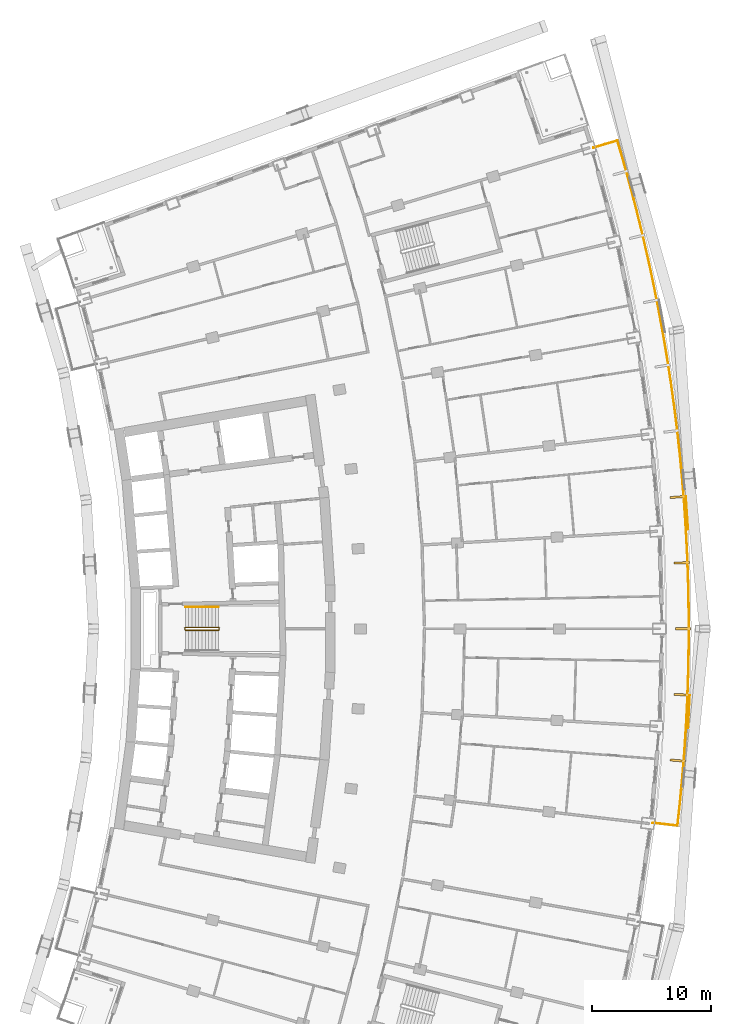
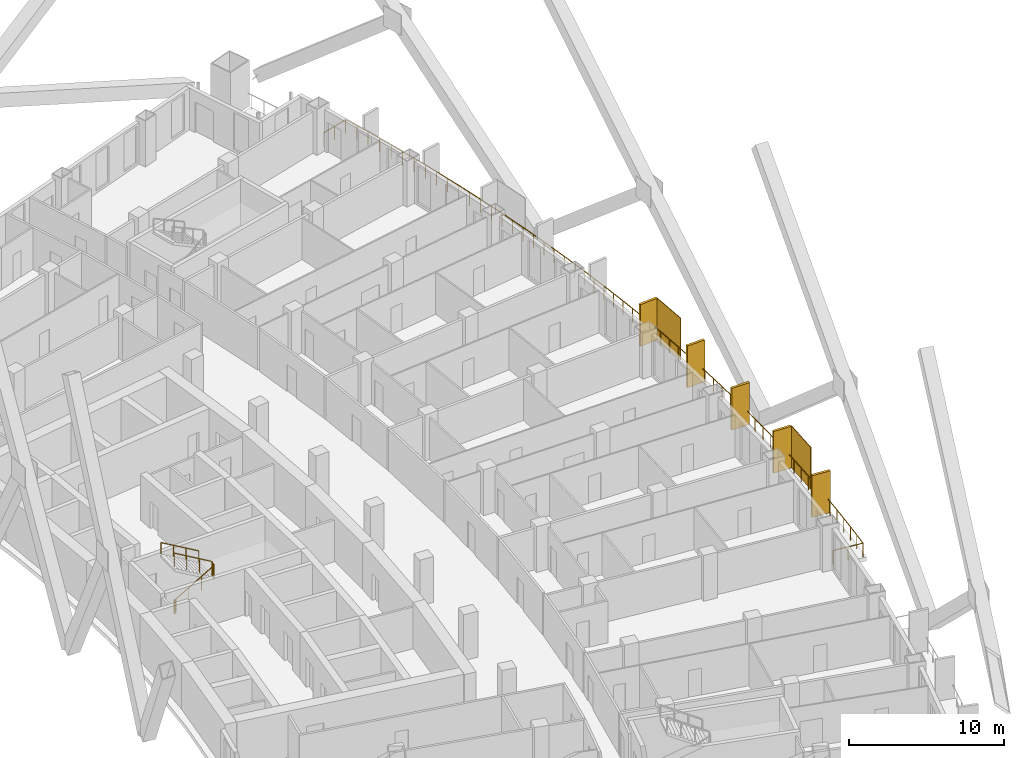
# One storey, part 23 of 24: 7 shading devices, 3 railings.
"""IFC4 building model written with IfcOpenShell, lengths in metres."""

from ifc_helpers import new_model, si_unit, direction, frame, origin, origin_2d, place, context, subcontext, project, spatial, rectangle, extrude, material, layer, layer_set, type_object, element, save


model = new_model("IFC4")

# Units and contexts
model_context = context("Model", 3, precision=1e-05, world=origin(), true_north=direction((0.0, 1.0)))
body_context = subcontext(model_context, "Body", "Model", "MODEL_VIEW")
ifc_project = project(units=[si_unit("LENGTHUNIT", "METRE"), si_unit("AREAUNIT", "SQUARE_METRE"), si_unit("VOLUMEUNIT", "CUBIC_METRE"), si_unit("PLANEANGLEUNIT", "RADIAN"), si_unit("MASSUNIT", "GRAM", prefix="KILO")], contexts=[model_context])

# Site, building, storey
site_placement = place(None, origin())
site = spatial("IfcSite", under=ifc_project, at=site_placement, CompositionType="ELEMENT")
building_placement = place(site_placement, origin())
building = spatial("IfcBuilding", under=site, at=building_placement, Name="Alderwake Tower", CompositionType="ELEMENT")
storey_placement = place(building_placement, frame((0.0, 0.0, 104.0)))
storey = spatial("IfcBuildingStorey", under=building, at=storey_placement, Name="L25", CompositionType="ELEMENT", Elevation=104.0)

# Railing
ifc_material_1 = material(Name="Stainless steel 316 rail and posts", Category="steel")
railing_type_1 = type_object("IfcRailingType", Name="Balcony guard 1100", PredefinedType="GUARDRAIL", material=ifc_material_1)
railing_1_placement = place(storey_placement, frame((60.4501953125, 44.638671875, 0.0)))
element("IfcRailing", 1, at=railing_1_placement, inside=storey, type_object=railing_type_1, Name="Guard BF05", PredefinedType="GUARDRAIL", context=body_context, shape_type="SweptSolid", body=[
    extrude(rectangle(XDim=0.048095703125, YDim=0.048095703125, at=origin_2d()), frame((0.0, 0.0, 1.076171875), z_axis=(0.993273839517, -0.115788944775, 0.0), x_axis=(0.115788944775, 0.993273839517, 0.0)), (0.0, 0.0, 1.0), 2.10009765625),
    extrude(rectangle(XDim=0.048095703125, YDim=0.048095703125, at=origin_2d()), frame((2.0859375, -0.2431640625, 1.076171875), z_axis=(0.108790906311, 0.994064655193, 0.0), x_axis=(-0.994064655193, 0.108790906311, 0.0)), (0.0, 0.0, 1.0), 1.99267578125),
    extrude(rectangle(XDim=0.048095703125, YDim=0.048095703125, at=origin_2d()), frame((2.302734375, 1.73779296875, 1.076171875), z_axis=(0.094616394776, 0.995513805951, 0.0), x_axis=(-0.995513805951, 0.094616394776, 0.0)), (0.0, 0.0, 1.0), 2.092529296875),
    extrude(rectangle(XDim=0.048095703125, YDim=0.048095703125, at=origin_2d()), frame((2.500732421875, 3.821044921875, 1.076171875), z_axis=(0.080148626966, 0.996782924009, 0.0), x_axis=(-0.996782924009, 0.080148626966, 0.0)), (0.0, 0.0, 1.0), 2.0927734375),
    extrude(rectangle(XDim=0.048095703125, YDim=0.048095703125, at=origin_2d()), frame((2.66845703125, 5.906982421875, 1.076171875), z_axis=(0.06556654831, 0.997848198747, 0.0), x_axis=(-0.997848198747, 0.06556654831, 0.0)), (0.0, 0.0, 1.0), 2.092529296875),
    extrude(rectangle(XDim=0.048095703125, YDim=0.048095703125, at=origin_2d()), frame((2.8056640625, 7.9951171875, 1.076171875), z_axis=(0.051095418046, 0.998693776017, 0.0), x_axis=(-0.998693776017, 0.051095418046, 0.0)), (0.0, 0.0, 1.0), 2.0927734375),
    extrude(rectangle(XDim=0.048095703125, YDim=0.048095703125, at=origin_2d()), frame((2.91259765625, 10.085205078125, 1.076171875), z_axis=(0.036398931808, 0.999337339322, 0.0), x_axis=(-0.999337339322, 0.036398931808, 0.0)), (0.0, 0.0, 1.0), 2.0927734375),
    extrude(rectangle(XDim=0.048095703125, YDim=0.048095703125, at=origin_2d()), frame((2.98876953125, 12.176513671875, 1.076171875), z_axis=(0.021815110635, 0.999762022157, 0.0), x_axis=(-0.999762022157, 0.021815110635, 0.0)), (0.0, 0.0, 1.0), 2.0927734375),
    extrude(rectangle(XDim=0.048095703125, YDim=0.048095703125, at=origin_2d()), frame((3.034423828125, 14.268798828125, 1.076171875), z_axis=(0.007350168964, 0.999972987143, 0.0), x_axis=(-0.999972987143, 0.007350168964, 0.0)), (0.0, 0.0, 1.0), 2.092529296875),
    extrude(rectangle(XDim=0.048095703125, YDim=0.048095703125, at=origin_2d()), frame((3.0498046875, 16.361328125, 1.076171875), z_axis=(-0.007350168964, 0.999972987143, 0.0), x_axis=(-0.999972987143, -0.007350168964, 0.0)), (0.0, 0.0, 1.0), 2.092529296875),
    extrude(rectangle(XDim=0.048095703125, YDim=0.048095703125, at=origin_2d()), frame((3.034423828125, 18.453857421875, 1.076171875), z_axis=(-0.021815110635, 0.999762022157, 0.0), x_axis=(-0.999762022157, -0.021815110635, 0.0)), (0.0, 0.0, 1.0), 2.0927734375),
    extrude(rectangle(XDim=0.048095703125, YDim=0.048095703125, at=origin_2d()), frame((2.98876953125, 20.546142578125, 1.076171875), z_axis=(-0.036398931808, 0.999337339322, 0.0), x_axis=(-0.999337339322, -0.036398931808, 0.0)), (0.0, 0.0, 1.0), 2.0927734375),
    extrude(rectangle(XDim=0.048095703125, YDim=0.048095703125, at=origin_2d()), frame((2.91259765625, 22.637451171875, 1.076171875), z_axis=(-0.051095418046, 0.998693776017, 0.0), x_axis=(-0.998693776017, -0.051095418046, 0.0)), (0.0, 0.0, 1.0), 2.0927734375),
    extrude(rectangle(XDim=0.048095703125, YDim=0.048095703125, at=origin_2d()), frame((2.8056640625, 24.7275390625, 1.076171875), z_axis=(-0.06556654831, 0.997848198747, 0.0), x_axis=(-0.997848198747, -0.06556654831, 0.0)), (0.0, 0.0, 1.0), 2.092529296875),
    extrude(rectangle(XDim=0.048095703125, YDim=0.048095703125, at=origin_2d()), frame((2.66845703125, 26.815673828125, 1.076171875), z_axis=(-0.080148626966, 0.996782924009, 0.0), x_axis=(-0.996782924009, -0.080148626966, 0.0)), (0.0, 0.0, 1.0), 2.0927734375),
    extrude(rectangle(XDim=0.048095703125, YDim=0.048095703125, at=origin_2d()), frame((2.500732421875, 28.901611328125, 1.076171875), z_axis=(-0.094616394776, 0.995513805951, 0.0), x_axis=(-0.995513805951, -0.094616394776, 0.0)), (0.0, 0.0, 1.0), 2.092529296875),
    extrude(rectangle(XDim=0.048095703125, YDim=0.048095703125, at=origin_2d()), frame((2.302734375, 30.98486328125, 1.076171875), z_axis=(-0.109202149119, 0.994019562497, 0.0), x_axis=(-0.994019562497, -0.109202149119, 0.0)), (0.0, 0.0, 1.0), 2.092529296875),
    extrude(rectangle(XDim=0.048095703125, YDim=0.048095703125, at=origin_2d()), frame((2.07421875, 33.06494140625, 1.076171875), z_axis=(-0.123546528168, 0.992338780547, 0.0), x_axis=(-0.992338780547, -0.123546528168, 0.0)), (0.0, 0.0, 1.0), 2.0927734375),
    extrude(rectangle(XDim=0.048095703125, YDim=0.048095703125, at=origin_2d()), frame((1.815673828125, 35.1416015625, 1.076171875), z_axis=(-0.138121519768, 0.990415289551, 0.0), x_axis=(-0.990415289551, -0.138121519768, 0.0)), (0.0, 0.0, 1.0), 2.0927734375),
    extrude(rectangle(XDim=0.048095703125, YDim=0.048095703125, at=origin_2d()), frame((1.526611328125, 37.21435546875, 1.076171875), z_axis=(-0.15248675564, 0.988305514178, 0.0), x_axis=(-0.988305514178, -0.15248675564, 0.0)), (0.0, 0.0, 1.0), 2.092529296875),
    extrude(rectangle(XDim=0.048095703125, YDim=0.048095703125, at=origin_2d()), frame((1.20751953125, 39.282470703125, 1.076171875), z_axis=(-0.166933326396, 0.985968186372, 0.0), x_axis=(-0.985968186372, -0.166933326396, 0.0)), (0.0, 0.0, 1.0), 2.0927734375),
    extrude(rectangle(XDim=0.048095703125, YDim=0.048095703125, at=origin_2d()), frame((0.858154296875, 41.345947265625, 1.076171875), z_axis=(-0.18130793509, 0.983426373794, 0.0), x_axis=(-0.983426373794, -0.18130793509, 0.0)), (0.0, 0.0, 1.0), 2.092529296875),
    extrude(rectangle(XDim=0.048095703125, YDim=0.048095703125, at=origin_2d()), frame((0.478759765625, 43.40380859375, 1.076171875), z_axis=(-0.195644970766, 0.980674790853, 0.0), x_axis=(-0.980674790853, -0.195644970766, 0.0)), (0.0, 0.0, 1.0), 2.0927734375),
    extrude(rectangle(XDim=0.048095703125, YDim=0.048095703125, at=origin_2d()), frame((0.0693359375, 45.4560546875, 1.076171875), z_axis=(-0.209871658439, 0.977728943513, 0.0), x_axis=(-0.977728943513, -0.209871658439, 0.0)), (0.0, 0.0, 1.0), 2.0927734375),
    extrude(rectangle(XDim=0.048095703125, YDim=0.048095703125, at=origin_2d()), frame((-0.369873046875, 47.502197265625, 1.076171875), z_axis=(-0.224101157754, 0.974565888534, 0.0), x_axis=(-0.974565888534, -0.224101157754, 0.0)), (0.0, 0.0, 1.0), 2.0927734375),
    extrude(rectangle(XDim=0.048095703125, YDim=0.048095703125, at=origin_2d()), frame((-0.8388671875, 49.541748046875, 1.076171875), z_axis=(-0.238360646186, 0.971176710156, 0.0), x_axis=(-0.971176710156, -0.238360646186, 0.0)), (0.0, 0.0, 1.0), 2.092529296875),
    extrude(rectangle(XDim=0.048095703125, YDim=0.048095703125, at=origin_2d()), frame((-1.337646484375, 51.573974609375, 1.076171875), z_axis=(-0.252459890033, 0.967607360413, 0.0), x_axis=(-0.967607360413, -0.252459890033, 0.0)), (0.0, 0.0, 1.0), 2.0927734375),
    extrude(rectangle(XDim=0.048095703125, YDim=0.048095703125, at=origin_2d()), frame((-1.865966796875, 53.598876953125, 1.076171875), z_axis=(-0.266452319336, 0.963848100854, 0.0), x_axis=(-0.963848100854, -0.266452319336, 0.0)), (0.0, 0.0, 1.0), 2.0927734375),
    extrude(rectangle(XDim=0.048095703125, YDim=0.048095703125, at=origin_2d()), frame((-2.423583984375, 55.615966796875, 1.076171875), z_axis=(-0.28031519248, 0.95990801271, 0.0), x_axis=(-0.95990801271, -0.28031519248, 0.0)), (0.0, 0.0, 1.0), 1.99267578125),
    extrude(rectangle(XDim=0.048095703125, YDim=0.048095703125, at=origin_2d()), frame((-2.982177734375, 57.52880859375, 1.076171875), z_axis=(-0.957954179098, -0.286921227429, 0.0), x_axis=(0.286921227429, -0.957954179098, 0.0)), (0.0, 0.0, 1.0), 2.10009765625),
    extrude(rectangle(XDim=0.0419921875, YDim=0.0419921875, at=origin_2d()), frame((0.0, 0.0, 0.0), z_axis=(0.0, 0.0, 1.0), x_axis=(0.993273839517, -0.115788944775, 0.0)), (0.0, 0.0, 1.0), 1.052001953125),
    extrude(rectangle(XDim=0.0419921875, YDim=0.0419921875, at=origin_2d()), frame((1.04296875, -0.12158203125, 0.0), z_axis=(0.0, 0.0, 1.0), x_axis=(0.993273839517, -0.115788944775, 0.0)), (0.0, 0.0, 1.0), 1.052001953125),
    extrude(rectangle(XDim=0.0419921875, YDim=0.0419921875, at=origin_2d()), frame((2.0859375, -0.2431640625, 0.0), z_axis=(0.0, 0.0, 1.0), x_axis=(0.108790906311, 0.994064655193, 0.0)), (0.0, 0.0, 1.0), 1.052001953125),
    extrude(rectangle(XDim=0.0419921875, YDim=0.0419921875, at=origin_2d()), frame((2.1943359375, 0.747314453125, 0.0), z_axis=(0.0, 0.0, 1.0), x_axis=(0.108790906311, 0.994064655193, 0.0)), (0.0, 0.0, 1.0), 1.052001953125),
    extrude(rectangle(XDim=0.0419921875, YDim=0.0419921875, at=origin_2d()), frame((2.302734375, 1.73779296875, 0.0), z_axis=(0.0, 0.0, 1.0), x_axis=(0.094616394776, 0.995513805951, 0.0)), (0.0, 0.0, 1.0), 1.052001953125),
    extrude(rectangle(XDim=0.0419921875, YDim=0.0419921875, at=origin_2d()), frame((2.40185546875, 2.779296875, 0.0), z_axis=(0.0, 0.0, 1.0), x_axis=(0.094616394776, 0.995513805951, 0.0)), (0.0, 0.0, 1.0), 1.052001953125),
    extrude(rectangle(XDim=0.0419921875, YDim=0.0419921875, at=origin_2d()), frame((2.500732421875, 3.821044921875, 0.0), z_axis=(0.0, 0.0, 1.0), x_axis=(0.080148626966, 0.996782924009, 0.0)), (0.0, 0.0, 1.0), 1.052001953125),
    extrude(rectangle(XDim=0.0419921875, YDim=0.0419921875, at=origin_2d()), frame((2.58447265625, 4.864013671875, 0.0), z_axis=(0.0, 0.0, 1.0), x_axis=(0.080148626966, 0.996782924009, 0.0)), (0.0, 0.0, 1.0), 1.052001953125),
    extrude(rectangle(XDim=0.0419921875, YDim=0.0419921875, at=origin_2d()), frame((2.66845703125, 5.906982421875, 0.0), z_axis=(0.0, 0.0, 1.0), x_axis=(0.06556654831, 0.997848198747, 0.0)), (0.0, 0.0, 1.0), 1.052001953125),
    extrude(rectangle(XDim=0.0419921875, YDim=0.0419921875, at=origin_2d()), frame((2.737060546875, 6.951171875, 0.0), z_axis=(0.0, 0.0, 1.0), x_axis=(0.06556654831, 0.997848198747, 0.0)), (0.0, 0.0, 1.0), 1.052001953125),
    extrude(rectangle(XDim=0.0419921875, YDim=0.0419921875, at=origin_2d()), frame((2.8056640625, 7.9951171875, 0.0), z_axis=(0.0, 0.0, 1.0), x_axis=(0.051095418046, 0.998693776017, 0.0)), (0.0, 0.0, 1.0), 1.052001953125),
    extrude(rectangle(XDim=0.0419921875, YDim=0.0419921875, at=origin_2d()), frame((2.859130859375, 9.0400390625, 0.0), z_axis=(0.0, 0.0, 1.0), x_axis=(0.051095418046, 0.998693776017, 0.0)), (0.0, 0.0, 1.0), 1.052001953125),
    extrude(rectangle(XDim=0.0419921875, YDim=0.0419921875, at=origin_2d()), frame((2.91259765625, 10.085205078125, 0.0), z_axis=(0.0, 0.0, 1.0), x_axis=(0.036398931808, 0.999337339322, 0.0)), (0.0, 0.0, 1.0), 1.052001953125),
    extrude(rectangle(XDim=0.0419921875, YDim=0.0419921875, at=origin_2d()), frame((2.95068359375, 11.130859375, 0.0), z_axis=(0.0, 0.0, 1.0), x_axis=(0.036398931808, 0.999337339322, 0.0)), (0.0, 0.0, 1.0), 1.052001953125),
    extrude(rectangle(XDim=0.0419921875, YDim=0.0419921875, at=origin_2d()), frame((2.98876953125, 12.176513671875, 0.0), z_axis=(0.0, 0.0, 1.0), x_axis=(0.021815110635, 0.999762022157, 0.0)), (0.0, 0.0, 1.0), 1.052001953125),
    extrude(rectangle(XDim=0.0419921875, YDim=0.0419921875, at=origin_2d()), frame((3.01171875, 13.22265625, 0.0), z_axis=(0.0, 0.0, 1.0), x_axis=(0.021815110635, 0.999762022157, 0.0)), (0.0, 0.0, 1.0), 1.052001953125),
    extrude(rectangle(XDim=0.0419921875, YDim=0.0419921875, at=origin_2d()), frame((3.034423828125, 14.268798828125, 0.0), z_axis=(0.0, 0.0, 1.0), x_axis=(0.007350168964, 0.999972987143, 0.0)), (0.0, 0.0, 1.0), 1.052001953125),
    extrude(rectangle(XDim=0.0419921875, YDim=0.0419921875, at=origin_2d()), frame((3.0419921875, 15.31494140625, 0.0), z_axis=(0.0, 0.0, 1.0), x_axis=(0.007350168964, 0.999972987143, 0.0)), (0.0, 0.0, 1.0), 1.052001953125),
    extrude(rectangle(XDim=0.0419921875, YDim=0.0419921875, at=origin_2d()), frame((3.0498046875, 16.361328125, 0.0), z_axis=(0.0, 0.0, 1.0), x_axis=(-0.007350168964, 0.999972987143, 0.0)), (0.0, 0.0, 1.0), 1.052001953125),
    extrude(rectangle(XDim=0.0419921875, YDim=0.0419921875, at=origin_2d()), frame((3.0419921875, 17.40771484375, 0.0), z_axis=(0.0, 0.0, 1.0), x_axis=(-0.007350168964, 0.999972987143, 0.0)), (0.0, 0.0, 1.0), 1.052001953125),
    extrude(rectangle(XDim=0.0419921875, YDim=0.0419921875, at=origin_2d()), frame((3.034423828125, 18.453857421875, 0.0), z_axis=(0.0, 0.0, 1.0), x_axis=(-0.021815110635, 0.999762022157, 0.0)), (0.0, 0.0, 1.0), 1.052001953125),
    extrude(rectangle(XDim=0.0419921875, YDim=0.0419921875, at=origin_2d()), frame((3.01171875, 19.5, 0.0), z_axis=(0.0, 0.0, 1.0), x_axis=(-0.021815110635, 0.999762022157, 0.0)), (0.0, 0.0, 1.0), 1.052001953125),
    extrude(rectangle(XDim=0.0419921875, YDim=0.0419921875, at=origin_2d()), frame((2.98876953125, 20.546142578125, 0.0), z_axis=(0.0, 0.0, 1.0), x_axis=(-0.036398931808, 0.999337339322, 0.0)), (0.0, 0.0, 1.0), 1.052001953125),
    extrude(rectangle(XDim=0.0419921875, YDim=0.0419921875, at=origin_2d()), frame((2.95068359375, 21.591796875, 0.0), z_axis=(0.0, 0.0, 1.0), x_axis=(-0.036398931808, 0.999337339322, 0.0)), (0.0, 0.0, 1.0), 1.052001953125),
    extrude(rectangle(XDim=0.0419921875, YDim=0.0419921875, at=origin_2d()), frame((2.91259765625, 22.637451171875, 0.0), z_axis=(0.0, 0.0, 1.0), x_axis=(-0.051095418046, 0.998693776017, 0.0)), (0.0, 0.0, 1.0), 1.052001953125),
    extrude(rectangle(XDim=0.0419921875, YDim=0.0419921875, at=origin_2d()), frame((2.859130859375, 23.6826171875, 0.0), z_axis=(0.0, 0.0, 1.0), x_axis=(-0.051095418046, 0.998693776017, 0.0)), (0.0, 0.0, 1.0), 1.052001953125),
    extrude(rectangle(XDim=0.0419921875, YDim=0.0419921875, at=origin_2d()), frame((2.8056640625, 24.7275390625, 0.0), z_axis=(0.0, 0.0, 1.0), x_axis=(-0.06556654831, 0.997848198747, 0.0)), (0.0, 0.0, 1.0), 1.052001953125),
    extrude(rectangle(XDim=0.0419921875, YDim=0.0419921875, at=origin_2d()), frame((2.737060546875, 25.771484375, 0.0), z_axis=(0.0, 0.0, 1.0), x_axis=(-0.06556654831, 0.997848198747, 0.0)), (0.0, 0.0, 1.0), 1.052001953125),
    extrude(rectangle(XDim=0.0419921875, YDim=0.0419921875, at=origin_2d()), frame((2.66845703125, 26.815673828125, 0.0), z_axis=(0.0, 0.0, 1.0), x_axis=(-0.080148626966, 0.996782924009, 0.0)), (0.0, 0.0, 1.0), 1.052001953125),
    extrude(rectangle(XDim=0.0419921875, YDim=0.0419921875, at=origin_2d()), frame((2.58447265625, 27.858642578125, 0.0), z_axis=(0.0, 0.0, 1.0), x_axis=(-0.080148626966, 0.996782924009, 0.0)), (0.0, 0.0, 1.0), 1.052001953125),
    extrude(rectangle(XDim=0.0419921875, YDim=0.0419921875, at=origin_2d()), frame((2.500732421875, 28.901611328125, 0.0), z_axis=(0.0, 0.0, 1.0), x_axis=(-0.094616394776, 0.995513805951, 0.0)), (0.0, 0.0, 1.0), 1.052001953125),
    extrude(rectangle(XDim=0.0419921875, YDim=0.0419921875, at=origin_2d()), frame((2.40185546875, 29.943359375, 0.0), z_axis=(0.0, 0.0, 1.0), x_axis=(-0.094616394776, 0.995513805951, 0.0)), (0.0, 0.0, 1.0), 1.052001953125),
    extrude(rectangle(XDim=0.0419921875, YDim=0.0419921875, at=origin_2d()), frame((2.302734375, 30.98486328125, 0.0), z_axis=(0.0, 0.0, 1.0), x_axis=(-0.109202149119, 0.994019562497, 0.0)), (0.0, 0.0, 1.0), 1.052001953125),
    extrude(rectangle(XDim=0.0419921875, YDim=0.0419921875, at=origin_2d()), frame((2.1884765625, 32.02490234375, 0.0), z_axis=(0.0, 0.0, 1.0), x_axis=(-0.109202149119, 0.994019562497, 0.0)), (0.0, 0.0, 1.0), 1.052001953125),
    extrude(rectangle(XDim=0.0419921875, YDim=0.0419921875, at=origin_2d()), frame((2.07421875, 33.06494140625, 0.0), z_axis=(0.0, 0.0, 1.0), x_axis=(-0.123546528168, 0.992338780547, 0.0)), (0.0, 0.0, 1.0), 1.052001953125),
    extrude(rectangle(XDim=0.0419921875, YDim=0.0419921875, at=origin_2d()), frame((1.94482421875, 34.103271484375, 0.0), z_axis=(0.0, 0.0, 1.0), x_axis=(-0.123546528168, 0.992338780547, 0.0)), (0.0, 0.0, 1.0), 1.052001953125),
    extrude(rectangle(XDim=0.0419921875, YDim=0.0419921875, at=origin_2d()), frame((1.815673828125, 35.1416015625, 0.0), z_axis=(0.0, 0.0, 1.0), x_axis=(-0.138121519768, 0.990415289551, 0.0)), (0.0, 0.0, 1.0), 1.052001953125),
    extrude(rectangle(XDim=0.0419921875, YDim=0.0419921875, at=origin_2d()), frame((1.671142578125, 36.177978515625, 0.0), z_axis=(0.0, 0.0, 1.0), x_axis=(-0.138121519768, 0.990415289551, 0.0)), (0.0, 0.0, 1.0), 1.052001953125),
    extrude(rectangle(XDim=0.0419921875, YDim=0.0419921875, at=origin_2d()), frame((1.526611328125, 37.21435546875, 0.0), z_axis=(0.0, 0.0, 1.0), x_axis=(-0.15248675564, 0.988305514178, 0.0)), (0.0, 0.0, 1.0), 1.052001953125),
    extrude(rectangle(XDim=0.0419921875, YDim=0.0419921875, at=origin_2d()), frame((1.3671875, 38.24853515625, 0.0), z_axis=(0.0, 0.0, 1.0), x_axis=(-0.15248675564, 0.988305514178, 0.0)), (0.0, 0.0, 1.0), 1.052001953125),
    extrude(rectangle(XDim=0.0419921875, YDim=0.0419921875, at=origin_2d()), frame((1.20751953125, 39.282470703125, 0.0), z_axis=(0.0, 0.0, 1.0), x_axis=(-0.166933326396, 0.985968186372, 0.0)), (0.0, 0.0, 1.0), 1.052001953125),
    extrude(rectangle(XDim=0.0419921875, YDim=0.0419921875, at=origin_2d()), frame((1.03271484375, 40.314208984375, 0.0), z_axis=(0.0, 0.0, 1.0), x_axis=(-0.166933326396, 0.985968186372, 0.0)), (0.0, 0.0, 1.0), 1.052001953125),
    extrude(rectangle(XDim=0.0419921875, YDim=0.0419921875, at=origin_2d()), frame((0.858154296875, 41.345947265625, 0.0), z_axis=(0.0, 0.0, 1.0), x_axis=(-0.18130793509, 0.983426373794, 0.0)), (0.0, 0.0, 1.0), 1.052001953125),
    extrude(rectangle(XDim=0.0419921875, YDim=0.0419921875, at=origin_2d()), frame((0.66845703125, 42.375, 0.0), z_axis=(0.0, 0.0, 1.0), x_axis=(-0.18130793509, 0.983426373794, 0.0)), (0.0, 0.0, 1.0), 1.052001953125),
    extrude(rectangle(XDim=0.0419921875, YDim=0.0419921875, at=origin_2d()), frame((0.478759765625, 43.40380859375, 0.0), z_axis=(0.0, 0.0, 1.0), x_axis=(-0.195644970766, 0.980674790853, 0.0)), (0.0, 0.0, 1.0), 1.052001953125),
    extrude(rectangle(XDim=0.0419921875, YDim=0.0419921875, at=origin_2d()), frame((0.27392578125, 44.429931640625, 0.0), z_axis=(0.0, 0.0, 1.0), x_axis=(-0.195644970766, 0.980674790853, 0.0)), (0.0, 0.0, 1.0), 1.052001953125),
    extrude(rectangle(XDim=0.0419921875, YDim=0.0419921875, at=origin_2d()), frame((0.0693359375, 45.4560546875, 0.0), z_axis=(0.0, 0.0, 1.0), x_axis=(-0.209871658439, 0.977728943513, 0.0)), (0.0, 0.0, 1.0), 1.052001953125),
    extrude(rectangle(XDim=0.0419921875, YDim=0.0419921875, at=origin_2d()), frame((-0.150390625, 46.47900390625, 0.0), z_axis=(0.0, 0.0, 1.0), x_axis=(-0.209871658439, 0.977728943513, 0.0)), (0.0, 0.0, 1.0), 1.052001953125),
    extrude(rectangle(XDim=0.0419921875, YDim=0.0419921875, at=origin_2d()), frame((-0.369873046875, 47.502197265625, 0.0), z_axis=(0.0, 0.0, 1.0), x_axis=(-0.224101157754, 0.974565888534, 0.0)), (0.0, 0.0, 1.0), 1.052001953125),
    extrude(rectangle(XDim=0.0419921875, YDim=0.0419921875, at=origin_2d()), frame((-0.6044921875, 48.52197265625, 0.0), z_axis=(0.0, 0.0, 1.0), x_axis=(-0.224101157754, 0.974565888534, 0.0)), (0.0, 0.0, 1.0), 1.052001953125),
    extrude(rectangle(XDim=0.0419921875, YDim=0.0419921875, at=origin_2d()), frame((-0.8388671875, 49.541748046875, 0.0), z_axis=(0.0, 0.0, 1.0), x_axis=(-0.238360646186, 0.971176710156, 0.0)), (0.0, 0.0, 1.0), 1.052001953125),
    extrude(rectangle(XDim=0.0419921875, YDim=0.0419921875, at=origin_2d()), frame((-1.08837890625, 50.557861328125, 0.0), z_axis=(0.0, 0.0, 1.0), x_axis=(-0.238360646186, 0.971176710156, 0.0)), (0.0, 0.0, 1.0), 1.052001953125),
    extrude(rectangle(XDim=0.0419921875, YDim=0.0419921875, at=origin_2d()), frame((-1.337646484375, 51.573974609375, 0.0), z_axis=(0.0, 0.0, 1.0), x_axis=(-0.252459890033, 0.967607360413, 0.0)), (0.0, 0.0, 1.0), 1.052001953125),
    extrude(rectangle(XDim=0.0419921875, YDim=0.0419921875, at=origin_2d()), frame((-1.601806640625, 52.58642578125, 0.0), z_axis=(0.0, 0.0, 1.0), x_axis=(-0.252459890033, 0.967607360413, 0.0)), (0.0, 0.0, 1.0), 1.052001953125),
    extrude(rectangle(XDim=0.0419921875, YDim=0.0419921875, at=origin_2d()), frame((-1.865966796875, 53.598876953125, 0.0), z_axis=(0.0, 0.0, 1.0), x_axis=(-0.266452319336, 0.963848100854, 0.0)), (0.0, 0.0, 1.0), 1.052001953125),
    extrude(rectangle(XDim=0.0419921875, YDim=0.0419921875, at=origin_2d()), frame((-2.144775390625, 54.607421875, 0.0), z_axis=(0.0, 0.0, 1.0), x_axis=(-0.266452319336, 0.963848100854, 0.0)), (0.0, 0.0, 1.0), 1.052001953125),
    extrude(rectangle(XDim=0.0419921875, YDim=0.0419921875, at=origin_2d()), frame((-2.423583984375, 55.615966796875, 0.0), z_axis=(0.0, 0.0, 1.0), x_axis=(-0.28031519248, 0.95990801271, 0.0)), (0.0, 0.0, 1.0), 1.052001953125),
    extrude(rectangle(XDim=0.0419921875, YDim=0.0419921875, at=origin_2d()), frame((-2.702880859375, 56.572265625, 0.0), z_axis=(0.0, 0.0, 1.0), x_axis=(-0.28031519248, 0.95990801271, 0.0)), (0.0, 0.0, 1.0), 1.052001953125),
    extrude(rectangle(XDim=0.0419921875, YDim=0.0419921875, at=origin_2d()), frame((-2.982177734375, 57.52880859375, 0.0), z_axis=(0.0, 0.0, 1.0), x_axis=(-0.957954179098, -0.286921227429, 0.0)), (0.0, 0.0, 1.0), 1.052001953125),
    extrude(rectangle(XDim=0.0419921875, YDim=0.0419921875, at=origin_2d()), frame((-3.988037109375, 57.2275390625, 0.0), z_axis=(0.0, 0.0, 1.0), x_axis=(-0.957954179098, -0.286921227429, 0.0)), (0.0, 0.0, 1.0), 1.052001953125),
    extrude(rectangle(XDim=0.0419921875, YDim=0.0419921875, at=origin_2d()), frame((-4.993896484375, 56.92626953125, 0.0), z_axis=(0.0, 0.0, 1.0), x_axis=(-0.957954179098, -0.286921227429, 0.0)), (0.0, 0.0, 1.0), 1.052001953125),
])

# Shading devices
ifc_material_2 = material(Name="Bronze anodised aluminium", Category="aluminium")
ifc_layer_1 = layer(ifc_material_2, 0.179931640625)
ifc_layer_set_1 = layer_set([ifc_layer_1], Name="Facade fin 1300")
shading_device_type_1 = type_object("IfcShadingDeviceType", Name="Facade fin 1300", PredefinedType="USERDEFINED", material=ifc_layer_set_1)
for number, where, z_axis, x_axis, name in (
    (2, (62.5673828125, 49.8857421875, 0.0), (0.0, 0.0, 1.0), (0.996975122026, -0.077721335943, 0.0), "Fin"),
    (3, (62.891845703125, 55.438720703125, 0.0), (0.0, 0.0, 1.0), (0.999243494356, -0.038890088543, 0.0), "Fin"),
    (4, (63.0, 61.0, 0.0), (0.0, 0.0, 1.0), (1.0, 0.0, 0.0), "Fin"),
    (5, (62.891845703125, 66.561279296875, 0.0), (0.0, 0.0, 1.0), (0.999243494356, 0.038890088543, 0.0), "Fin"),
    (6, (62.5673828125, 72.1142578125, 0.0), (0.0, 0.0, 1.0), (0.996975122026, 0.077721335943, 0.0), "Fin"),
):
    element("IfcShadingDevice", number, at=place(storey_placement, frame(where, z_axis=z_axis, x_axis=x_axis)), inside=storey, type_object=shading_device_type_1, Name=name, ObjectType="FIN", PredefinedType="USERDEFINED", context=body_context, shape_type="SweptSolid", body=[
        extrude(rectangle(XDim=1.300048828125, YDim=0.179931640625, at=origin_2d()), origin(), (0.0, 0.0, 1.0), 3.280029296875),
    ])
ifc_material_3 = material(Name="Perforated bronze anodised aluminium", Category="aluminium")
ifc_layer_2 = layer(ifc_material_3, 0.050048828125)
ifc_layer_set_2 = layer_set([ifc_layer_2], Name="Perforated screen panel")
shading_device_type_2 = type_object("IfcShadingDeviceType", Name="Perforated screen panel", PredefinedType="USERDEFINED", material=ifc_layer_set_2)
shading_device_1_placement = place(storey_placement, frame((63.49853515625, 54.0205078125, 0.0), z_axis=(0.0, 0.0, 1.0), x_axis=(0.998819231138, -0.048581308217, 0.0)))
element("IfcShadingDevice", 7, at=shading_device_1_placement, inside=storey, type_object=shading_device_type_2, Name="Screen panel", ObjectType="SCREEN", PredefinedType="USERDEFINED", context=body_context, shape_type="SweptSolid", body=[
    extrude(rectangle(XDim=0.050048828125, YDim=2.787353515625, at=origin_2d()), origin(), (0.0, 0.0, 1.0), 3.280029296875),
])
shading_device_2_placement = place(storey_placement, frame((63.335693359375, 70.76904296875, 0.0), z_axis=(0.0, 0.0, 1.0), x_axis=(0.997685465774, 0.067997877779, 0.0)))
element("IfcShadingDevice", 8, at=shading_device_2_placement, inside=storey, type_object=shading_device_type_2, Name="Screen panel", ObjectType="SCREEN", PredefinedType="USERDEFINED", context=body_context, shape_type="SweptSolid", body=[
    extrude(rectangle(XDim=0.050048828125, YDim=2.801513671875, at=origin_2d()), origin(), (0.0, 0.0, 1.0), 3.280029296875),
])

# Railings
ifc_material_4 = material(Name="Stainless steel guard", Category="steel")
railing_type_2 = type_object("IfcRailingType", Name="Stair guard 1100", PredefinedType="GUARDRAIL", material=ifc_material_4)
railing_2_placement = place(storey_placement, frame((20.989990234375, 60.925048828125, 0.0)))
element("IfcRailing", 9, at=railing_2_placement, inside=storey, type_object=railing_type_2, Name="L25 ST-B stair guard 1", PredefinedType="GUARDRAIL", context=body_context, shape_type="SweptSolid", body=[
    extrude(rectangle(XDim=0.048095703125, YDim=0.048095703125, at=origin_2d()), frame((0.0, 0.0, 1.076171875), z_axis=(0.0, 1.0, 0.0), x_axis=(-1.0, 0.0, 0.0)), (0.0, 0.0, 1.0), 0.14990234375),
    extrude(rectangle(XDim=0.048095703125, YDim=0.048095703125, at=origin_2d()), frame((0.0, 0.14990234375, 1.076171875), z_axis=(0.190199549216, -0.759870394187, 0.621627795), x_axis=(0.970072785993, 0.242814311512, 0.0)), (0.0, 0.0, 1.0), 0.26318359375),
    extrude(rectangle(XDim=0.048095703125, YDim=0.048095703125, at=origin_2d()), frame((0.050048828125, -0.050048828125, 1.23974609375), z_axis=(0.863360870873, 0.0, 0.504586966384), x_axis=(0.0, 1.0, 0.0)), (0.0, 0.0, 1.0), 3.2431640625),
    extrude(rectangle(XDim=0.048095703125, YDim=0.048095703125, at=origin_2d()), frame((2.85009765625, -0.050048828125, 2.8759765625), z_axis=(0.705375805398, 0.708833529934, 0.0), x_axis=(-0.708833529934, 0.705375805398, 0.0)), (0.0, 0.0, 1.0), 0.070556640625),
    extrude(rectangle(XDim=0.048095703125, YDim=0.048095703125, at=origin_2d()), frame((2.89990234375, 0.0, 2.8759765625), z_axis=(0.0, 1.0, 0.0), x_axis=(-1.0, 0.0, 0.0)), (0.0, 0.0, 1.0), 0.14990234375),
    extrude(rectangle(XDim=0.048095703125, YDim=0.048095703125, at=origin_2d()), frame((2.89990234375, 0.14990234375, 2.8759765625), z_axis=(-0.279546231943, 0.280916556609, 0.91811752648), x_axis=(-0.708833529934, -0.705375805398, 0.0)), (0.0, 0.0, 1.0), 0.17822265625),
    extrude(rectangle(XDim=0.048095703125, YDim=0.048095703125, at=origin_2d()), frame((2.85009765625, 0.199951171875, 3.03955078125), z_axis=(-0.863360870873, 0.0, 0.504586966384), x_axis=(0.0, -1.0, 0.0)), (0.0, 0.0, 1.0), 3.2431640625),
    extrude(rectangle(XDim=0.0419921875, YDim=0.0419921875, at=origin_2d()), frame((0.0, 0.0, 0.0), z_axis=(0.0, 0.0, 1.0), x_axis=(0.0, 1.0, 0.0)), (0.0, 0.0, 1.0), 1.052001953125),
    extrude(rectangle(XDim=0.0419921875, YDim=0.0419921875, at=origin_2d()), frame((0.0, 0.14990234375, 0.0), z_axis=(0.0, 0.0, 1.0), x_axis=(0.242814311512, -0.970072785993, 0.0)), (0.0, 0.0, 1.0), 1.052001953125),
    extrude(rectangle(XDim=0.0419921875, YDim=0.0419921875, at=origin_2d()), frame((0.050048828125, -0.050048828125, 0.16357421875), z_axis=(0.0, 0.0, 1.0), x_axis=(1.0, 0.0, 0.0)), (0.0, 0.0, 1.0), 1.052001953125),
    extrude(rectangle(XDim=0.0419921875, YDim=0.0419921875, at=origin_2d()), frame((0.9833984375, -0.050048828125, 0.708984375), z_axis=(0.0, 0.0, 1.0), x_axis=(1.0, 0.0, 0.0)), (0.0, 0.0, 1.0), 1.052001953125),
    extrude(rectangle(XDim=0.0419921875, YDim=0.0419921875, at=origin_2d()), frame((1.916748046875, -0.050048828125, 1.254638671875), z_axis=(0.0, 0.0, 1.0), x_axis=(1.0, 0.0, 0.0)), (0.0, 0.0, 1.0), 1.052001953125),
    extrude(rectangle(XDim=0.0419921875, YDim=0.0419921875, at=origin_2d()), frame((2.85009765625, -0.050048828125, 1.800048828125), z_axis=(0.0, 0.0, 1.0), x_axis=(0.705375805398, 0.708833529934, 0.0)), (0.0, 0.0, 1.0), 1.052001953125),
    extrude(rectangle(XDim=0.0419921875, YDim=0.0419921875, at=origin_2d()), frame((2.89990234375, 0.0, 1.800048828125), z_axis=(0.0, 0.0, 1.0), x_axis=(0.0, 1.0, 0.0)), (0.0, 0.0, 1.0), 1.052001953125),
    extrude(rectangle(XDim=0.0419921875, YDim=0.0419921875, at=origin_2d()), frame((2.89990234375, 0.14990234375, 1.800048828125), z_axis=(0.0, 0.0, 1.0), x_axis=(-0.705375805398, 0.708833529934, 0.0)), (0.0, 0.0, 1.0), 1.052001953125),
    extrude(rectangle(XDim=0.0419921875, YDim=0.0419921875, at=origin_2d()), frame((2.85009765625, 0.199951171875, 1.963623046875), z_axis=(0.0, 0.0, 1.0), x_axis=(-1.0, 0.0, 0.0)), (0.0, 0.0, 1.0), 1.052001953125),
    extrude(rectangle(XDim=0.0419921875, YDim=0.0419921875, at=origin_2d()), frame((1.916748046875, 0.199951171875, 2.509033203125), z_axis=(0.0, 0.0, 1.0), x_axis=(-1.0, 0.0, 0.0)), (0.0, 0.0, 1.0), 1.052001953125),
    extrude(rectangle(XDim=0.0419921875, YDim=0.0419921875, at=origin_2d()), frame((0.9833984375, 0.199951171875, 3.0546875), z_axis=(0.0, 0.0, 1.0), x_axis=(-1.0, 0.0, 0.0)), (0.0, 0.0, 1.0), 1.052001953125),
    extrude(rectangle(XDim=0.0419921875, YDim=0.0419921875, at=origin_2d()), frame((0.050048828125, 0.199951171875, 3.60009765625), z_axis=(0.0, 0.0, 1.0), x_axis=(-1.0, 0.0, 0.0)), (0.0, 0.0, 1.0), 1.052001953125),
])
ifc_material_5 = material(Name="Stainless steel handrail", Category="steel")
railing_type_3 = type_object("IfcRailingType", Name="Stair handrail 900", PredefinedType="HANDRAIL", material=ifc_material_5)
railing_3_placement = place(storey_placement, frame((23.840087890625, 62.824951171875, 1.963623046875)))
element("IfcRailing", 10, at=railing_3_placement, inside=storey, type_object=railing_type_3, Name="L25 ST-B stair handrail 2", PredefinedType="HANDRAIL", context=body_context, shape_type="SweptSolid", body=[
    extrude(rectangle(XDim=0.048095703125, YDim=0.048095703125, at=origin_2d()), frame((0.0, 0.0, 0.8759765625), z_axis=(-0.863360870873, 0.0, 0.504586966384), x_axis=(0.0, -1.0, 0.0)), (0.0, 0.0, 1.0), 3.2431640625),
    extrude(rectangle(XDim=0.0419921875, YDim=0.0419921875, at=origin_2d()), frame((0.0, 0.0, 0.0), z_axis=(0.0, 0.0, 1.0), x_axis=(-1.0, 0.0, 0.0)), (0.0, 0.0, 1.0), 0.851806640625),
    extrude(rectangle(XDim=0.0419921875, YDim=0.0419921875, at=origin_2d()), frame((-0.933349609375, 0.0, 0.54541015625), z_axis=(0.0, 0.0, 1.0), x_axis=(-1.0, 0.0, 0.0)), (0.0, 0.0, 1.0), 0.851806640625),
    extrude(rectangle(XDim=0.0419921875, YDim=0.0419921875, at=origin_2d()), frame((-1.86669921875, 0.0, 1.091064453125), z_axis=(0.0, 0.0, 1.0), x_axis=(-1.0, 0.0, 0.0)), (0.0, 0.0, 1.0), 0.851806640625),
    extrude(rectangle(XDim=0.0419921875, YDim=0.0419921875, at=origin_2d()), frame((-2.800048828125, 0.0, 1.636474609375), z_axis=(0.0, 0.0, 1.0), x_axis=(-1.0, 0.0, 0.0)), (0.0, 0.0, 1.0), 0.851806640625),
])

save(model, "model.ifc")
